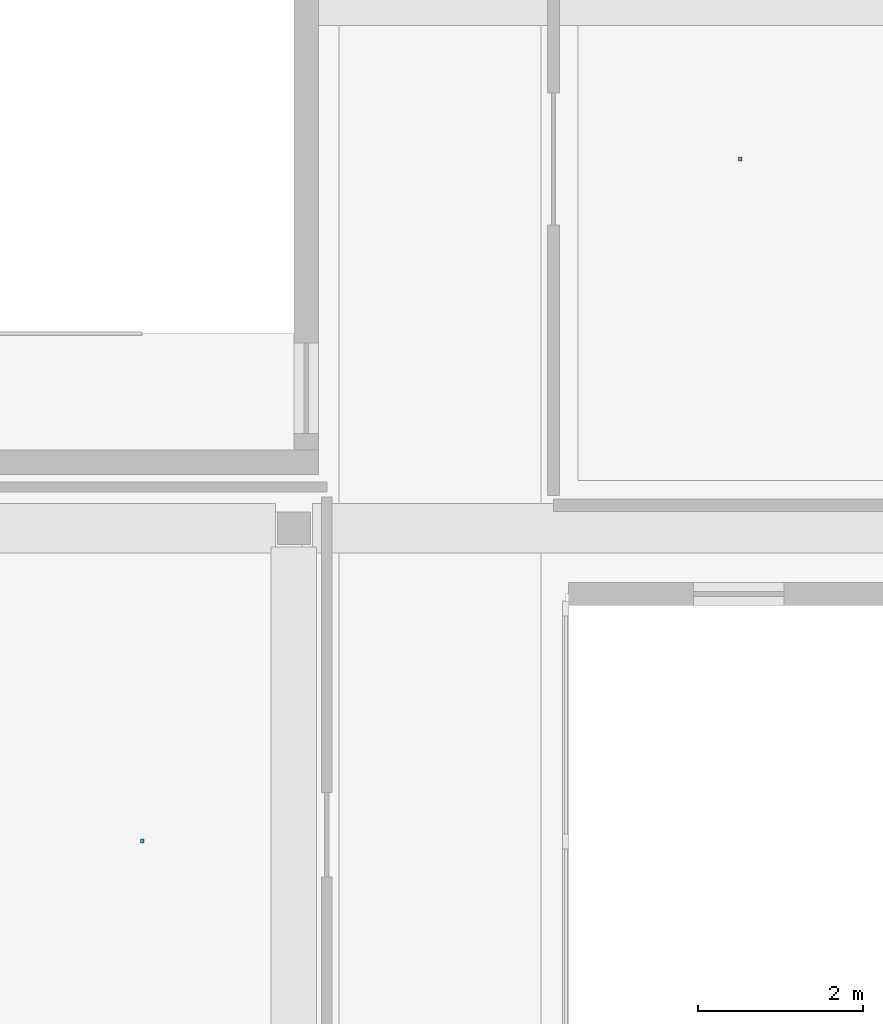
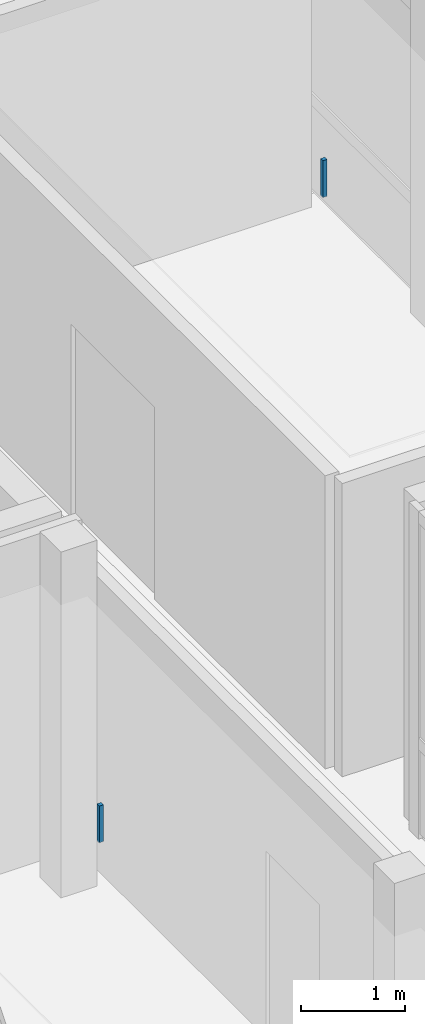
# One storey, part 17 of 24: 2 discrete accessories.
"""IFC4 building model written with IfcOpenShell, lengths in metres."""

from ifc_helpers import new_model, si_unit, derived_unit, direction, frame, origin, origin_2d, place, context, subcontext, project, spatial, rectangle, extrude, material, type_object, element, save


model = new_model("IFC4")

# Units and contexts
model_context = context("Model", 3, precision=1e-05, world=origin(), true_north=direction((0.0, 1.0)))
body_context = subcontext(model_context, "Body", "Model", "MODEL_VIEW")
ifc_project = project(units=[si_unit("LENGTHUNIT", "METRE"), si_unit("AREAUNIT", "SQUARE_METRE"), si_unit("VOLUMEUNIT", "CUBIC_METRE"), si_unit("PLANEANGLEUNIT", "RADIAN"), si_unit("MASSUNIT", "GRAM", prefix="KILO"), derived_unit("THERMALTRANSMITTANCEUNIT", [(si_unit("POWERUNIT", "WATT"), 1), (si_unit("LENGTHUNIT", "METRE"), -2), (si_unit("THERMODYNAMICTEMPERATUREUNIT", "KELVIN"), -1)])], contexts=[model_context])

# Site, building, storey
site_placement = place(None, origin())
site = spatial("IfcSite", under=ifc_project, at=site_placement, CompositionType="ELEMENT")
building_placement = place(site_placement, origin())
building = spatial("IfcBuilding", under=site, at=building_placement, Name="Braskholm Square Health Centre", CompositionType="ELEMENT")
storey_placement = place(building_placement, frame((0.0, 0.0, 21.60009765625)))
storey = spatial("IfcBuildingStorey", under=building, at=storey_placement, Name="L06", CompositionType="ELEMENT", Elevation=21.60009765625)

# Discrete accessories
ifc_material = material(Name="Steel ASTM A500 Grade C", Category="steel")
discrete_accessory_type = type_object("IfcDiscreteAccessoryType", Name="CeilingSuspensionBracket", PredefinedType="BRACKET", material=ifc_material)
for number, where, z_axis, x_axis, name in (
    (1, (9.56005859375, 45.205078125, 3.421875), (0.0, 0.0, 1.0), (1.0, 0.0, 0.0), "Ceiling hanger bracket 0098"),
    (2, (16.81494140625, 53.47998046875, 3.421875), (0.0, 0.0, 1.0), (1.0, 0.0, 0.0), "Ceiling hanger bracket 0107"),
):
    element("IfcDiscreteAccessory", number, at=place(storey_placement, frame(where, z_axis=z_axis, x_axis=x_axis)), inside=storey, type_object=discrete_accessory_type, Name=name, PredefinedType="BRACKET", context=body_context, shape_type="SweptSolid", body=[
        extrude(rectangle(XDim=0.044921875, YDim=0.044921875, at=origin_2d()), origin(), (0.0, 0.0, 1.0), 0.429931640625),
    ])

save(model, "model.ifc")
